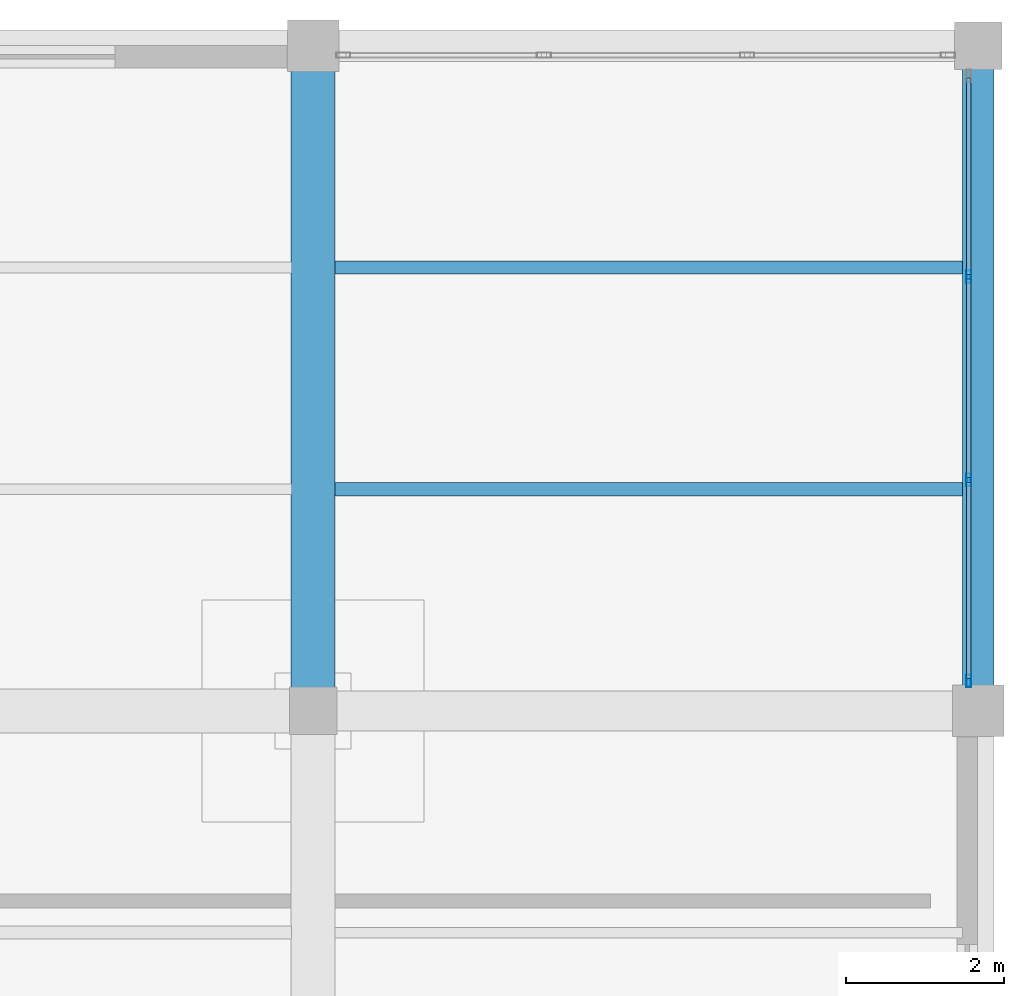
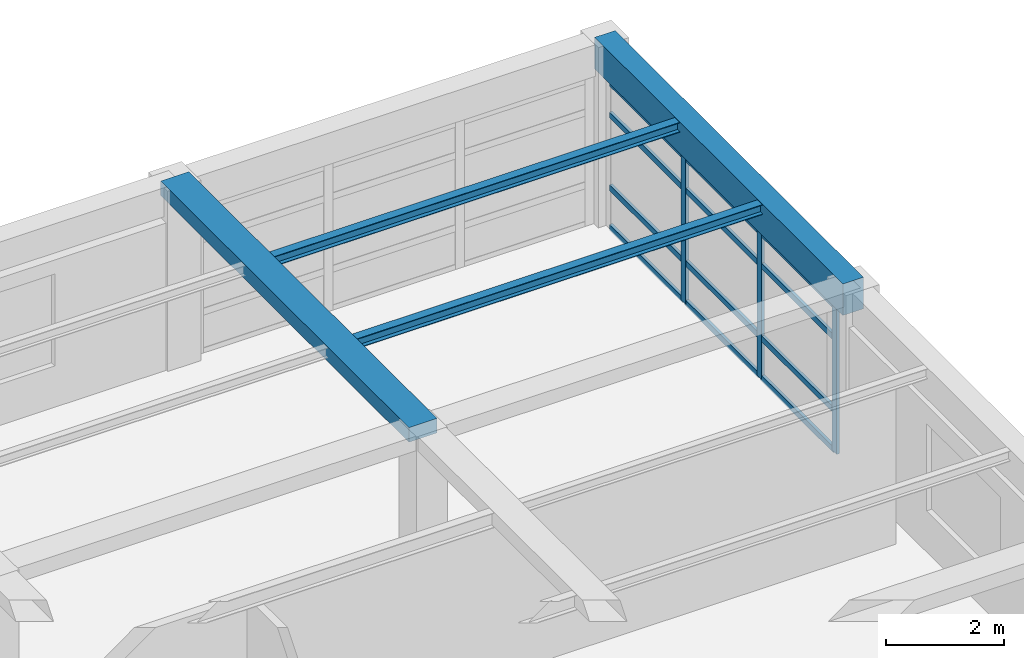
# One storey, part 16 of 26: 15 members, 4 beams, 1 element without a shape of its own.
"""IFC4 building model written with IfcOpenShell, lengths in metres."""

from ifc_helpers import new_model, si_unit, direction, frame, origin, origin_2d, place, context, subcontext, project, spatial, rectangle, hollow_rectangle, i_section, extrude, material, material_profile, profile_set, type_object, element, aggregate, save


model = new_model("IFC4")

# Units and contexts
model_context = context("Model", 3, precision=1e-05, world=origin(), true_north=direction((0.0, 1.0)))
body_context = subcontext(model_context, "Body", "Model", "MODEL_VIEW")
ifc_project = project(units=[si_unit("LENGTHUNIT", "METRE"), si_unit("AREAUNIT", "SQUARE_METRE"), si_unit("VOLUMEUNIT", "CUBIC_METRE"), si_unit("PLANEANGLEUNIT", "RADIAN"), si_unit("MASSUNIT", "GRAM", prefix="KILO")], contexts=[model_context])

# Site, building, storey
site_placement = place(None, origin())
site = spatial("IfcSite", under=ifc_project, at=site_placement, CompositionType="ELEMENT")
building_placement = place(site_placement, origin())
building = spatial("IfcBuilding", under=site, at=building_placement, Name="Almacenes y Pasaje Nevantli", CompositionType="ELEMENT")
storey_placement = place(building_placement, frame((0.0, 0.0, 54.699951171875)))
storey = spatial("IfcBuildingStorey", under=building, at=storey_placement, Name="L13", CompositionType="ELEMENT", Elevation=54.699951171875)

# Beams
ifc_material_1 = material(Name="Concrete C35/45", Category="concrete")
ifc_material_profile_1 = material_profile(ifc_material_1, rectangle(XDim=0.39990234375, YDim=0.64990234375, at=origin_2d()), Name="RC-BM-400x650")
ifc_profile_set_1 = profile_set([ifc_material_profile_1], Name="Concrete C35/45")
beam_type_1 = type_object("IfcBeamType", Name="BM-RC-400x650", PredefinedType="SPANDREL", material=ifc_profile_set_1)
beam_1_placement = place(storey_placement, frame((159.60009765625, 92.39990234375, 3.39501953125), z_axis=(0.0, 1.0, 0.0), x_axis=(-1.0, 0.0, 0.0)))
element("IfcBeam", 1, at=beam_1_placement, inside=storey, type_object=beam_type_1, Name="L13 North-South Reinforced Concrete Beam #3984", PredefinedType="SPANDREL", context=body_context, shape_type="SweptSolid", body=[
    extrude(rectangle(XDim=0.39990234375, YDim=0.64990234375, at=origin_2d()), origin(), (0.0, 0.0, 1.0), 8.400146484375),
])
ifc_material_2 = material(Name="Concrete C35/45", Category="concrete")
ifc_material_profile_2 = material_profile(ifc_material_2, rectangle(XDim=0.550048828125, YDim=0.300048828125, at=origin_2d()), Name="RC-BM-550x300")
ifc_profile_set_2 = profile_set([ifc_material_profile_2], Name="Concrete C35/45")
beam_type_2 = type_object("IfcBeamType", Name="BM-RC-550x300", PredefinedType="BEAM", material=ifc_profile_set_2)
beam_2_placement = place(storey_placement, frame((151.199951171875, 92.39990234375, 3.570068359375), z_axis=(0.0, 1.0, 0.0), x_axis=(-1.0, 0.0, 0.0)))
element("IfcBeam", 2, at=beam_2_placement, inside=storey, type_object=beam_type_2, Name="L13 North-South Reinforced Concrete Beam #3980", PredefinedType="BEAM", context=body_context, shape_type="SweptSolid", body=[
    extrude(rectangle(XDim=0.550048828125, YDim=0.300048828125, at=origin_2d()), origin(), (0.0, 0.0, 1.0), 8.400146484375),
])
ifc_material_3 = material(Name="Steel ASTM A992", Category="steel")
ifc_material_profile_3 = material_profile(ifc_material_3, i_section(OverallWidth=0.166015625, OverallDepth=0.205078125, WebThickness=0.007080078125, FlangeThickness=0.01171875, at=origin_2d()), Name="IR 203x41.7")
ifc_profile_set_3 = profile_set([ifc_material_profile_3], Name="Steel ASTM A992")
beam_type_3 = type_object("IfcBeamType", Name="BM-STL-IR-203x41p7", PredefinedType="JOIST", material=ifc_profile_set_3)
for number, where, z_axis, x_axis, name in (
    (3, (151.47509765625, 95.199951171875, 3.609619140625), (1.0, 0.0, 0.0), (0.0, 1.0, 0.0), "L13 Secondary Steel Floor Joist #1591"),
    (4, (151.47509765625, 98.0, 3.609619140625), (1.0, 0.0, 0.0), (0.0, 1.0, 0.0), "L13 Secondary Steel Floor Joist #1592"),
):
    element("IfcBeam", number, at=place(storey_placement, frame(where, z_axis=z_axis, x_axis=x_axis)), inside=storey, type_object=beam_type_3, Name=name, PredefinedType="JOIST", context=body_context, shape_type="SweptSolid", body=[
        extrude(i_section(OverallWidth=0.166015625, OverallDepth=0.205078125, WebThickness=0.007080078125, FlangeThickness=0.01171875, at=origin_2d()), origin(), (0.0, 0.0, 1.0), 7.9248046875),
    ])

# Curtain wall, members
ifc_material_4 = material(Name="Thermally Broken Aluminium and Low-E Glass", Category="aluminium")
curtain_wall_type = type_object("IfcCurtainWallType", Name="CW-UNIT-TOWER", PredefinedType="USERDEFINED", material=ifc_material_4)
curtain_wall_placement = place(storey_placement, origin())
curtain_wall = element("IfcCurtainWall", 5, at=curtain_wall_placement, inside=storey, type_object=curtain_wall_type, Name="L13 Tower East Curtain Wall Bay 12", ObjectType="UNITIZED CURTAIN WALL", PredefinedType="USERDEFINED")
ifc_material_5 = material(Name="Thermally Broken Anodized Aluminium", Category="aluminium")
ifc_material_profile_4 = material_profile(ifc_material_5, hollow_rectangle(XDim=0.06005859375, YDim=0.159912109375, WallThickness=0.00390625, at=origin_2d()), Name="ALU-MUL-60x160")
ifc_profile_set_4 = profile_set([ifc_material_profile_4], Name="Thermally Broken Anodized Aluminium")
member_type_1 = type_object("IfcMemberType", Name="CW-MUL-180", PredefinedType="MULLION", material=ifc_profile_set_4)
member_1_placement = place(storey_placement, frame((159.47998046875, 92.780029296875, 0.0), z_axis=(0.0, 0.0, 1.0), x_axis=(-1.0, 0.0, 0.0)))
member_1 = element("IfcMember", 6, at=member_1_placement, type_object=member_type_1, Name="CW-L13-176 mullion 1", PredefinedType="MULLION", context=body_context, shape_type="SweptSolid", body=[
    extrude(hollow_rectangle(XDim=0.06005859375, YDim=0.159912109375, WallThickness=0.00390625, at=origin_2d()), origin(), (0.0, 0.0, 1.0), 3.0400390625),
])
member_2_placement = place(storey_placement, frame((159.47998046875, 95.316650390625, 0.0), z_axis=(0.0, 0.0, 1.0), x_axis=(-1.0, 0.0, 0.0)))
member_2 = element("IfcMember", 7, at=member_2_placement, type_object=member_type_1, Name="CW-L13-176 mullion 2", PredefinedType="MULLION", context=body_context, shape_type="SweptSolid", body=[
    extrude(hollow_rectangle(XDim=0.06005859375, YDim=0.159912109375, WallThickness=0.00390625, at=origin_2d()), origin(), (0.0, 0.0, 1.0), 3.0400390625),
])
member_3_placement = place(storey_placement, frame((159.47998046875, 97.88330078125, 0.0), z_axis=(0.0, 0.0, 1.0), x_axis=(-1.0, 0.0, 0.0)))
member_3 = element("IfcMember", 8, at=member_3_placement, type_object=member_type_1, Name="CW-L13-176 mullion 3", PredefinedType="MULLION", context=body_context, shape_type="SweptSolid", body=[
    extrude(hollow_rectangle(XDim=0.06005859375, YDim=0.159912109375, WallThickness=0.00390625, at=origin_2d()), origin(), (0.0, 0.0, 1.0), 3.0400390625),
])
ifc_material_6 = material(Name="Thermally Broken Anodized Aluminium", Category="aluminium")
ifc_material_profile_5 = material_profile(ifc_material_6, hollow_rectangle(XDim=0.06005859375, YDim=0.1201171875, WallThickness=0.00341796875, at=origin_2d()), Name="ALU-TRN-60x120")
ifc_profile_set_5 = profile_set([ifc_material_profile_5], Name="Thermally Broken Anodized Aluminium")
member_type_2 = type_object("IfcMemberType", Name="CW-TRN-130", PredefinedType="USERDEFINED", material=ifc_profile_set_5)
member_4_placement = place(storey_placement, frame((159.47998046875, 92.81005859375, 0.030029296875), z_axis=(0.0, 1.0, 0.0), x_axis=(-1.0, 0.0, 0.0)))
member_4 = element("IfcMember", 9, at=member_4_placement, type_object=member_type_2, Name="CW-L13-176 transom 1.1", ObjectType="TRANSOM", PredefinedType="USERDEFINED", context=body_context, shape_type="SweptSolid", body=[
    extrude(hollow_rectangle(XDim=0.06005859375, YDim=0.1201171875, WallThickness=0.00341796875, at=origin_2d()), origin(), (0.0, 0.0, 1.0), 2.4765625),
])
member_5_placement = place(storey_placement, frame((159.47998046875, 92.81005859375, 0.85009765625), z_axis=(0.0, 1.0, 0.0), x_axis=(-1.0, 0.0, 0.0)))
member_5 = element("IfcMember", 10, at=member_5_placement, type_object=member_type_2, Name="CW-L13-176 transom 1.2", ObjectType="TRANSOM", PredefinedType="USERDEFINED", context=body_context, shape_type="SweptSolid", body=[
    extrude(hollow_rectangle(XDim=0.06005859375, YDim=0.1201171875, WallThickness=0.00341796875, at=origin_2d()), origin(), (0.0, 0.0, 1.0), 2.4765625),
])
member_6_placement = place(storey_placement, frame((159.47998046875, 92.81005859375, 2.35009765625), z_axis=(0.0, 1.0, 0.0), x_axis=(-1.0, 0.0, 0.0)))
member_6 = element("IfcMember", 11, at=member_6_placement, type_object=member_type_2, Name="CW-L13-176 transom 1.3", ObjectType="TRANSOM", PredefinedType="USERDEFINED", context=body_context, shape_type="SweptSolid", body=[
    extrude(hollow_rectangle(XDim=0.06005859375, YDim=0.1201171875, WallThickness=0.00341796875, at=origin_2d()), origin(), (0.0, 0.0, 1.0), 2.4765625),
])
member_7_placement = place(storey_placement, frame((159.47998046875, 92.81005859375, 3.010009765625), z_axis=(0.0, 1.0, 0.0), x_axis=(-1.0, 0.0, 0.0)))
member_7 = element("IfcMember", 12, at=member_7_placement, type_object=member_type_2, Name="CW-L13-176 transom 1.4", ObjectType="TRANSOM", PredefinedType="USERDEFINED", context=body_context, shape_type="SweptSolid", body=[
    extrude(hollow_rectangle(XDim=0.06005859375, YDim=0.1201171875, WallThickness=0.00341796875, at=origin_2d()), origin(), (0.0, 0.0, 1.0), 2.4765625),
])
member_8_placement = place(storey_placement, frame((159.47998046875, 95.3466796875, 0.030029296875), z_axis=(0.0, 1.0, 0.0), x_axis=(-1.0, 0.0, 0.0)))
member_8 = element("IfcMember", 13, at=member_8_placement, type_object=member_type_2, Name="CW-L13-176 transom 2.1", ObjectType="TRANSOM", PredefinedType="USERDEFINED", context=body_context, shape_type="SweptSolid", body=[
    extrude(hollow_rectangle(XDim=0.06005859375, YDim=0.1201171875, WallThickness=0.00341796875, at=origin_2d()), origin(), (0.0, 0.0, 1.0), 2.506591796875),
])
member_9_placement = place(storey_placement, frame((159.47998046875, 95.3466796875, 0.85009765625), z_axis=(0.0, 1.0, 0.0), x_axis=(-1.0, 0.0, 0.0)))
member_9 = element("IfcMember", 14, at=member_9_placement, type_object=member_type_2, Name="CW-L13-176 transom 2.2", ObjectType="TRANSOM", PredefinedType="USERDEFINED", context=body_context, shape_type="SweptSolid", body=[
    extrude(hollow_rectangle(XDim=0.06005859375, YDim=0.1201171875, WallThickness=0.00341796875, at=origin_2d()), origin(), (0.0, 0.0, 1.0), 2.506591796875),
])
member_10_placement = place(storey_placement, frame((159.47998046875, 95.3466796875, 2.35009765625), z_axis=(0.0, 1.0, 0.0), x_axis=(-1.0, 0.0, 0.0)))
member_10 = element("IfcMember", 15, at=member_10_placement, type_object=member_type_2, Name="CW-L13-176 transom 2.3", ObjectType="TRANSOM", PredefinedType="USERDEFINED", context=body_context, shape_type="SweptSolid", body=[
    extrude(hollow_rectangle(XDim=0.06005859375, YDim=0.1201171875, WallThickness=0.00341796875, at=origin_2d()), origin(), (0.0, 0.0, 1.0), 2.506591796875),
])
member_11_placement = place(storey_placement, frame((159.47998046875, 95.3466796875, 3.010009765625), z_axis=(0.0, 1.0, 0.0), x_axis=(-1.0, 0.0, 0.0)))
member_11 = element("IfcMember", 16, at=member_11_placement, type_object=member_type_2, Name="CW-L13-176 transom 2.4", ObjectType="TRANSOM", PredefinedType="USERDEFINED", context=body_context, shape_type="SweptSolid", body=[
    extrude(hollow_rectangle(XDim=0.06005859375, YDim=0.1201171875, WallThickness=0.00341796875, at=origin_2d()), origin(), (0.0, 0.0, 1.0), 2.506591796875),
])
member_12_placement = place(storey_placement, frame((159.47998046875, 97.913330078125, 0.030029296875), z_axis=(0.0, 1.0, 0.0), x_axis=(-1.0, 0.0, 0.0)))
member_12 = element("IfcMember", 17, at=member_12_placement, type_object=member_type_2, Name="CW-L13-176 transom 3.1", ObjectType="TRANSOM", PredefinedType="USERDEFINED", context=body_context, shape_type="SweptSolid", body=[
    extrude(hollow_rectangle(XDim=0.06005859375, YDim=0.1201171875, WallThickness=0.00341796875, at=origin_2d()), origin(), (0.0, 0.0, 1.0), 2.4765625),
])
member_13_placement = place(storey_placement, frame((159.47998046875, 97.913330078125, 0.85009765625), z_axis=(0.0, 1.0, 0.0), x_axis=(-1.0, 0.0, 0.0)))
member_13 = element("IfcMember", 18, at=member_13_placement, type_object=member_type_2, Name="CW-L13-176 transom 3.2", ObjectType="TRANSOM", PredefinedType="USERDEFINED", context=body_context, shape_type="SweptSolid", body=[
    extrude(hollow_rectangle(XDim=0.06005859375, YDim=0.1201171875, WallThickness=0.00341796875, at=origin_2d()), origin(), (0.0, 0.0, 1.0), 2.4765625),
])
member_14_placement = place(storey_placement, frame((159.47998046875, 97.913330078125, 2.35009765625), z_axis=(0.0, 1.0, 0.0), x_axis=(-1.0, 0.0, 0.0)))
member_14 = element("IfcMember", 19, at=member_14_placement, type_object=member_type_2, Name="CW-L13-176 transom 3.3", ObjectType="TRANSOM", PredefinedType="USERDEFINED", context=body_context, shape_type="SweptSolid", body=[
    extrude(hollow_rectangle(XDim=0.06005859375, YDim=0.1201171875, WallThickness=0.00341796875, at=origin_2d()), origin(), (0.0, 0.0, 1.0), 2.4765625),
])
member_15_placement = place(storey_placement, frame((159.47998046875, 97.913330078125, 3.010009765625), z_axis=(0.0, 1.0, 0.0), x_axis=(-1.0, 0.0, 0.0)))
member_15 = element("IfcMember", 20, at=member_15_placement, type_object=member_type_2, Name="CW-L13-176 transom 3.4", ObjectType="TRANSOM", PredefinedType="USERDEFINED", context=body_context, shape_type="SweptSolid", body=[
    extrude(hollow_rectangle(XDim=0.06005859375, YDim=0.1201171875, WallThickness=0.00341796875, at=origin_2d()), origin(), (0.0, 0.0, 1.0), 2.4765625),
])
aggregate(curtain_wall, [member_1, member_2, member_3, member_4, member_5, member_6, member_7, member_8, member_9, member_10, member_11, member_12, member_13, member_14, member_15])

save(model, "model.ifc")
